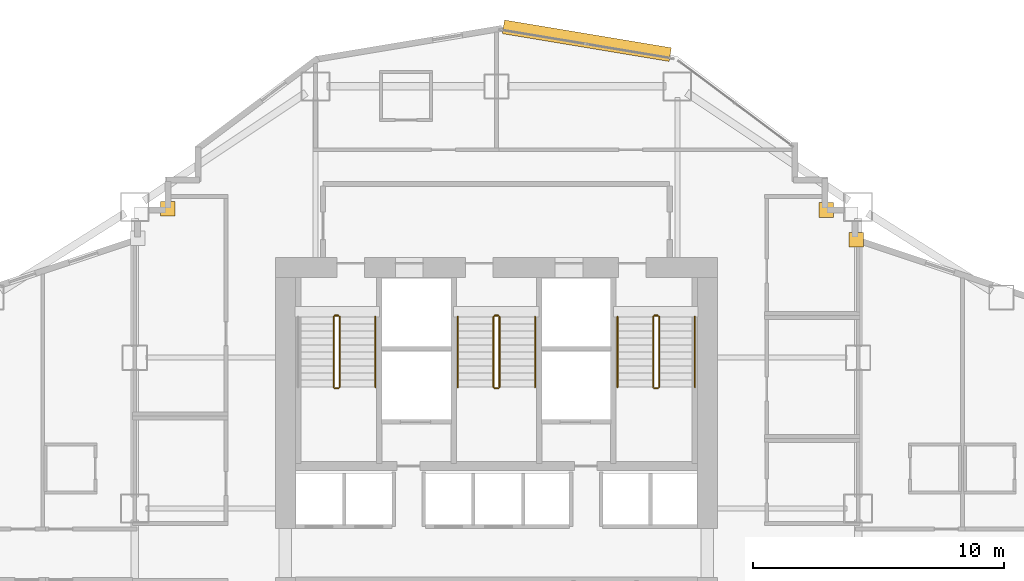
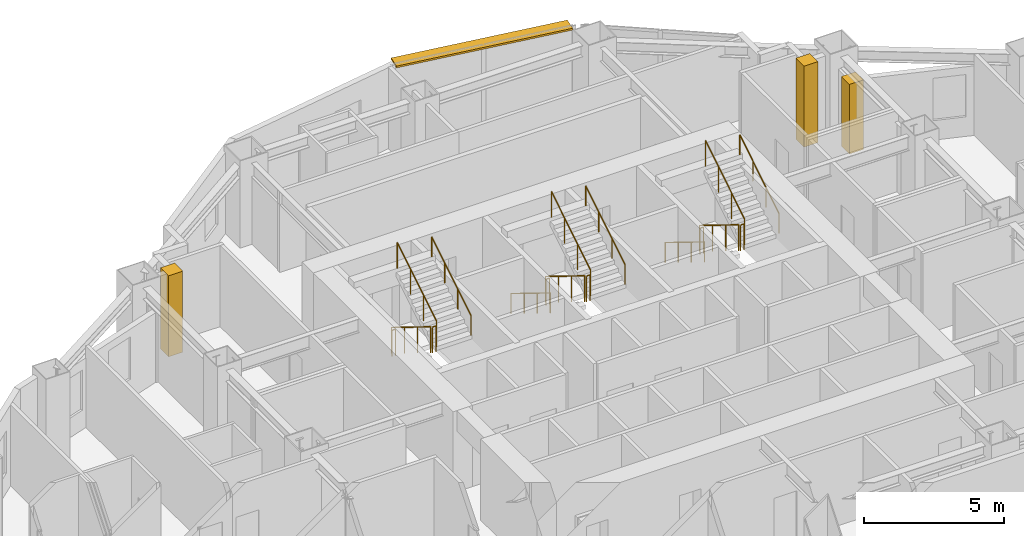
# One storey, part 15 of 16: 17 railings, 3 coverings, 1 shading device.
"""IFC4 building model written with IfcOpenShell, lengths in metres."""

from ifc_helpers import new_model, si_unit, direction, frame, origin, origin_2d, place, context, subcontext, project, spatial, rectangle, circle, extrude, material, layer, layer_set, type_object, element, save


model = new_model("IFC4")

# Units and contexts
model_context = context("Model", 3, precision=1e-05, world=origin(), true_north=direction((0.0, 1.0)))
body_context = subcontext(model_context, "Body", "Model", "MODEL_VIEW")
ifc_project = project(units=[si_unit("LENGTHUNIT", "METRE"), si_unit("AREAUNIT", "SQUARE_METRE"), si_unit("VOLUMEUNIT", "CUBIC_METRE"), si_unit("PLANEANGLEUNIT", "RADIAN"), si_unit("MASSUNIT", "GRAM", prefix="KILO")], contexts=[model_context])

# Site, building, storey
site_placement = place(None, origin())
site = spatial("IfcSite", under=ifc_project, at=site_placement, CompositionType="ELEMENT")
building_placement = place(site_placement, origin())
building = spatial("IfcBuilding", under=site, at=building_placement, Name="Haolan Belvedere Tower", CompositionType="ELEMENT")
storey_placement = place(building_placement, frame((0.0, 0.0, 85.60009765625)))
storey = spatial("IfcBuildingStorey", under=building, at=storey_placement, Name="L21", CompositionType="ELEMENT", Elevation=85.60009765625)

# Coverings
ifc_material_1 = material(Name="Pale champagne-silver anodised aluminium rainscreen cladding", Category="aluminium")
ifc_layer_1 = layer(ifc_material_1, 0.034912109375, Name="Pale champagne-silver anodised aluminium rainscreen cladding")
ifc_layer_set_1 = layer_set([ifc_layer_1], Name="Pale champagne-silver anodised aluminium rainscreen cladding")
covering_type = type_object("IfcCoveringType", Name="COV-CLAD-35", PredefinedType="CLADDING", material=ifc_layer_set_1)
covering_placement = place(storey_placement, frame((52.72021484375, 44.300048828125, -0.000244140625), z_axis=(0.0, 0.0, 1.0), x_axis=(1.0, 0.0, 0.0)))
element("IfcCovering", 1, at=covering_placement, inside=storey, type_object=covering_type, Name="L21 pale-metal serrated corner cladding trim 7", PredefinedType="CLADDING", context=body_context, shape_type="SweptSolid", body=[
    extrude(rectangle(XDim=0.580078125, YDim=0.580078125, at=origin_2d()), origin(), (0.0, 0.0, 1.0), 3.037109375),
])
for number, where, z_axis, x_axis, name in (
    (2, (51.5224609375, 45.47998046875, 0.0), (0.0, 0.0, 1.0), (1.0, 0.0, 0.0), "L21 pale-metal serrated corner cladding trim 8"),
    (3, (25.320068359375, 45.5224609375, 0.0), (0.0, 0.0, 1.0), (1.0, 0.0, 0.0), "L21 pale-metal serrated corner cladding trim 9"),
):
    element("IfcCovering", number, at=place(storey_placement, frame(where, z_axis=z_axis, x_axis=x_axis)), inside=storey, type_object=covering_type, Name=name, PredefinedType="CLADDING", context=body_context, shape_type="SweptSolid", body=[
        extrude(rectangle(XDim=0.580078125, YDim=0.580078125, at=origin_2d()), origin(), (0.0, 0.0, 1.0), 3.5400390625),
    ])

# Railings
ifc_material_2 = material(Name="Brushed stainless steel 304", Category="steel")
railing_type_1 = type_object("IfcRailingType", Name="RL-STAIR-GRD-1150", PredefinedType="GUARDRAIL", material=ifc_material_2)
railing_1_placement = place(storey_placement, frame((31.919921875, 41.22998046875, 0.172607421875)))
element("IfcRailing", 4, at=railing_1_placement, inside=storey, type_object=railing_type_1, Name="L21 ST1 stair guard 1", PredefinedType="GUARDRAIL", context=body_context, shape_type="SweptSolid", body=[
    extrude(circle(Radius=0.02392578125, at=origin_2d()), frame((0.0, 0.0, 1.1259765625), z_axis=(0.0, -0.851089632645, 0.525020415988), x_axis=(1.0, 0.0, 0.0)), (0.0, 0.0, 1.0), 3.2900390625),
    extrude(circle(Radius=0.02099609375, at=origin_2d()), origin(), (0.0, 0.0, 1.0), 1.101806640625),
    extrude(circle(Radius=0.02099609375, at=origin_2d()), frame((0.0, -0.933349609375, 0.57568359375)), (0.0, 0.0, 1.0), 1.101806640625),
    extrude(circle(Radius=0.02099609375, at=origin_2d()), frame((0.0, -1.86669921875, 1.151611328125)), (0.0, 0.0, 1.0), 1.101806640625),
    extrude(circle(Radius=0.02099609375, at=origin_2d()), frame((0.0, -2.800048828125, 1.727294921875)), (0.0, 0.0, 1.0), 1.101806640625),
])
railing_2_placement = place(storey_placement, frame((31.969970703125, 38.3798828125, 1.89990234375)))
element("IfcRailing", 5, at=railing_2_placement, inside=storey, type_object=railing_type_1, Name="L21 ST1 stair guard 2", PredefinedType="GUARDRAIL", context=body_context, shape_type="SweptSolid", body=[
    extrude(circle(Radius=0.02392578125, at=origin_2d()), frame((0.0, 0.0, 1.1259765625), z_axis=(1.0, 0.0, 0.0), x_axis=(0.0, 1.0, 0.0)), (0.0, 0.0, 1.0), 0.14013671875),
    extrude(circle(Radius=0.02099609375, at=origin_2d()), origin(), (0.0, 0.0, 1.0), 1.101806640625),
    extrude(circle(Radius=0.02099609375, at=origin_2d()), frame((0.14013671875, 0.0, 0.0)), (0.0, 0.0, 1.0), 1.101806640625),
])
railing_3_placement = place(storey_placement, frame((32.159912109375, 38.429931640625, 2.072509765625)))
element("IfcRailing", 6, at=railing_3_placement, inside=storey, type_object=railing_type_1, Name="L21 ST1 stair guard 3", PredefinedType="GUARDRAIL", context=body_context, shape_type="SweptSolid", body=[
    extrude(circle(Radius=0.02392578125, at=origin_2d()), frame((0.0, 0.0, 1.1259765625), z_axis=(0.0, 0.851089632645, 0.525020415988), x_axis=(-1.0, 0.0, 0.0)), (0.0, 0.0, 1.0), 3.2900390625),
    extrude(circle(Radius=0.02099609375, at=origin_2d()), origin(), (0.0, 0.0, 1.0), 1.101806640625),
    extrude(circle(Radius=0.02099609375, at=origin_2d()), frame((0.0, 0.933349609375, 0.57568359375)), (0.0, 0.0, 1.0), 1.101806640625),
    extrude(circle(Radius=0.02099609375, at=origin_2d()), frame((0.0, 1.86669921875, 1.151611328125)), (0.0, 0.0, 1.0), 1.101806640625),
    extrude(circle(Radius=0.02099609375, at=origin_2d()), frame((0.0, 2.800048828125, 1.727294921875)), (0.0, 0.0, 1.0), 1.101806640625),
])
railing_4_placement = place(storey_placement, frame((31.969970703125, 41.280029296875, 0.0)))
element("IfcRailing", 7, at=railing_4_placement, inside=storey, type_object=railing_type_1, Name="L21 ST1 stair guard 4", PredefinedType="GUARDRAIL", context=body_context, shape_type="SweptSolid", body=[
    extrude(circle(Radius=0.02392578125, at=origin_2d()), frame((0.0, 0.0, 1.1259765625), z_axis=(1.0, 0.0, 0.0), x_axis=(0.0, 1.0, 0.0)), (0.0, 0.0, 1.0), 0.14013671875),
    extrude(circle(Radius=0.02099609375, at=origin_2d()), origin(), (0.0, 0.0, 1.0), 1.101806640625),
    extrude(circle(Radius=0.02099609375, at=origin_2d()), frame((0.14013671875, 0.0, 0.0)), (0.0, 0.0, 1.0), 1.101806640625),
])
railing_5_placement = place(storey_placement, frame((38.280029296875, 41.22998046875, 0.172607421875)))
element("IfcRailing", 8, at=railing_5_placement, inside=storey, type_object=railing_type_1, Name="L21 ST3 stair guard 1", PredefinedType="GUARDRAIL", context=body_context, shape_type="SweptSolid", body=[
    extrude(circle(Radius=0.02392578125, at=origin_2d()), frame((0.0, 0.0, 1.1259765625), z_axis=(0.0, -0.851089632645, 0.525020415988), x_axis=(1.0, 0.0, 0.0)), (0.0, 0.0, 1.0), 3.2900390625),
    extrude(circle(Radius=0.02099609375, at=origin_2d()), origin(), (0.0, 0.0, 1.0), 1.101806640625),
    extrude(circle(Radius=0.02099609375, at=origin_2d()), frame((0.0, -0.933349609375, 0.57568359375)), (0.0, 0.0, 1.0), 1.101806640625),
    extrude(circle(Radius=0.02099609375, at=origin_2d()), frame((0.0, -1.86669921875, 1.151611328125)), (0.0, 0.0, 1.0), 1.101806640625),
    extrude(circle(Radius=0.02099609375, at=origin_2d()), frame((0.0, -2.800048828125, 1.727294921875)), (0.0, 0.0, 1.0), 1.101806640625),
])
railing_6_placement = place(storey_placement, frame((38.330078125, 38.3798828125, 1.89990234375)))
element("IfcRailing", 9, at=railing_6_placement, inside=storey, type_object=railing_type_1, Name="L21 ST3 stair guard 2", PredefinedType="GUARDRAIL", context=body_context, shape_type="SweptSolid", body=[
    extrude(circle(Radius=0.02392578125, at=origin_2d()), frame((0.0, 0.0, 1.1259765625), z_axis=(1.0, 0.0, 0.0), x_axis=(0.0, 1.0, 0.0)), (0.0, 0.0, 1.0), 0.139892578125),
    extrude(circle(Radius=0.02099609375, at=origin_2d()), origin(), (0.0, 0.0, 1.0), 1.101806640625),
    extrude(circle(Radius=0.02099609375, at=origin_2d()), frame((0.139892578125, 0.0, 0.0)), (0.0, 0.0, 1.0), 1.101806640625),
])
railing_7_placement = place(storey_placement, frame((38.52001953125, 38.429931640625, 2.072509765625)))
element("IfcRailing", 10, at=railing_7_placement, inside=storey, type_object=railing_type_1, Name="L21 ST3 stair guard 3", PredefinedType="GUARDRAIL", context=body_context, shape_type="SweptSolid", body=[
    extrude(circle(Radius=0.02392578125, at=origin_2d()), frame((0.0, 0.0, 1.1259765625), z_axis=(0.0, 0.851089632645, 0.525020415988), x_axis=(-1.0, 0.0, 0.0)), (0.0, 0.0, 1.0), 3.2900390625),
    extrude(circle(Radius=0.02099609375, at=origin_2d()), origin(), (0.0, 0.0, 1.0), 1.101806640625),
    extrude(circle(Radius=0.02099609375, at=origin_2d()), frame((0.0, 0.933349609375, 0.57568359375)), (0.0, 0.0, 1.0), 1.101806640625),
    extrude(circle(Radius=0.02099609375, at=origin_2d()), frame((0.0, 1.86669921875, 1.151611328125)), (0.0, 0.0, 1.0), 1.101806640625),
    extrude(circle(Radius=0.02099609375, at=origin_2d()), frame((0.0, 2.800048828125, 1.727294921875)), (0.0, 0.0, 1.0), 1.101806640625),
])
railing_8_placement = place(storey_placement, frame((38.330078125, 41.280029296875, 0.0)))
element("IfcRailing", 11, at=railing_8_placement, inside=storey, type_object=railing_type_1, Name="L21 ST3 stair guard 4", PredefinedType="GUARDRAIL", context=body_context, shape_type="SweptSolid", body=[
    extrude(circle(Radius=0.02392578125, at=origin_2d()), frame((0.0, 0.0, 1.1259765625), z_axis=(1.0, 0.0, 0.0), x_axis=(0.0, 1.0, 0.0)), (0.0, 0.0, 1.0), 0.139892578125),
    extrude(circle(Radius=0.02099609375, at=origin_2d()), origin(), (0.0, 0.0, 1.0), 1.101806640625),
    extrude(circle(Radius=0.02099609375, at=origin_2d()), frame((0.139892578125, 0.0, 0.0)), (0.0, 0.0, 1.0), 1.101806640625),
])
railing_9_placement = place(storey_placement, frame((44.639892578125, 41.22998046875, 0.172607421875)))
element("IfcRailing", 12, at=railing_9_placement, inside=storey, type_object=railing_type_1, Name="L21 ST2 stair guard 1", PredefinedType="GUARDRAIL", context=body_context, shape_type="SweptSolid", body=[
    extrude(circle(Radius=0.02392578125, at=origin_2d()), frame((0.0, 0.0, 1.1259765625), z_axis=(0.0, -0.851089632645, 0.525020415988), x_axis=(1.0, 0.0, 0.0)), (0.0, 0.0, 1.0), 3.2900390625),
    extrude(circle(Radius=0.02099609375, at=origin_2d()), origin(), (0.0, 0.0, 1.0), 1.101806640625),
    extrude(circle(Radius=0.02099609375, at=origin_2d()), frame((0.0, -0.933349609375, 0.57568359375)), (0.0, 0.0, 1.0), 1.101806640625),
    extrude(circle(Radius=0.02099609375, at=origin_2d()), frame((0.0, -1.86669921875, 1.151611328125)), (0.0, 0.0, 1.0), 1.101806640625),
    extrude(circle(Radius=0.02099609375, at=origin_2d()), frame((0.0, -2.800048828125, 1.727294921875)), (0.0, 0.0, 1.0), 1.101806640625),
])
railing_10_placement = place(storey_placement, frame((44.68994140625, 38.3798828125, 1.89990234375)))
element("IfcRailing", 13, at=railing_10_placement, inside=storey, type_object=railing_type_1, Name="L21 ST2 stair guard 2", PredefinedType="GUARDRAIL", context=body_context, shape_type="SweptSolid", body=[
    extrude(circle(Radius=0.02392578125, at=origin_2d()), frame((0.0, 0.0, 1.1259765625), z_axis=(1.0, 0.0, 0.0), x_axis=(0.0, 1.0, 0.0)), (0.0, 0.0, 1.0), 0.14013671875),
    extrude(circle(Radius=0.02099609375, at=origin_2d()), origin(), (0.0, 0.0, 1.0), 1.101806640625),
    extrude(circle(Radius=0.02099609375, at=origin_2d()), frame((0.14013671875, 0.0, 0.0)), (0.0, 0.0, 1.0), 1.101806640625),
])
railing_11_placement = place(storey_placement, frame((44.8798828125, 38.429931640625, 2.072509765625)))
element("IfcRailing", 14, at=railing_11_placement, inside=storey, type_object=railing_type_1, Name="L21 ST2 stair guard 3", PredefinedType="GUARDRAIL", context=body_context, shape_type="SweptSolid", body=[
    extrude(circle(Radius=0.02392578125, at=origin_2d()), frame((0.0, 0.0, 1.1259765625), z_axis=(0.0, 0.851089632645, 0.525020415988), x_axis=(-1.0, 0.0, 0.0)), (0.0, 0.0, 1.0), 3.2900390625),
    extrude(circle(Radius=0.02099609375, at=origin_2d()), origin(), (0.0, 0.0, 1.0), 1.101806640625),
    extrude(circle(Radius=0.02099609375, at=origin_2d()), frame((0.0, 0.933349609375, 0.57568359375)), (0.0, 0.0, 1.0), 1.101806640625),
    extrude(circle(Radius=0.02099609375, at=origin_2d()), frame((0.0, 1.86669921875, 1.151611328125)), (0.0, 0.0, 1.0), 1.101806640625),
    extrude(circle(Radius=0.02099609375, at=origin_2d()), frame((0.0, 2.800048828125, 1.727294921875)), (0.0, 0.0, 1.0), 1.101806640625),
])
railing_12_placement = place(storey_placement, frame((44.68994140625, 41.280029296875, 0.0)))
element("IfcRailing", 15, at=railing_12_placement, inside=storey, type_object=railing_type_1, Name="L21 ST2 stair guard 4", PredefinedType="GUARDRAIL", context=body_context, shape_type="SweptSolid", body=[
    extrude(circle(Radius=0.02392578125, at=origin_2d()), frame((0.0, 0.0, 1.1259765625), z_axis=(1.0, 0.0, 0.0), x_axis=(0.0, 1.0, 0.0)), (0.0, 0.0, 1.0), 0.14013671875),
    extrude(circle(Radius=0.02099609375, at=origin_2d()), origin(), (0.0, 0.0, 1.0), 1.101806640625),
    extrude(circle(Radius=0.02099609375, at=origin_2d()), frame((0.14013671875, 0.0, 0.0)), (0.0, 0.0, 1.0), 1.101806640625),
])
railing_type_2 = type_object("IfcRailingType", Name="RL-STAIR-HND-900", PredefinedType="HANDRAIL", material=ifc_material_2)
railing_13_placement = place(storey_placement, frame((33.580078125, 38.429931640625, 2.072509765625)))
element("IfcRailing", 16, at=railing_13_placement, inside=storey, type_object=railing_type_2, Name="L21 ST1 stair handrail 2", PredefinedType="HANDRAIL", context=body_context, shape_type="SweptSolid", body=[
    extrude(circle(Radius=0.02392578125, at=origin_2d()), frame((0.0, 0.0, 0.8759765625), z_axis=(0.0, 0.851089632645, 0.525020415988), x_axis=(-1.0, 0.0, 0.0)), (0.0, 0.0, 1.0), 3.2900390625),
    extrude(circle(Radius=0.02099609375, at=origin_2d()), origin(), (0.0, 0.0, 1.0), 0.851806640625),
    extrude(circle(Radius=0.02099609375, at=origin_2d()), frame((0.0, 0.933349609375, 0.57568359375)), (0.0, 0.0, 1.0), 0.851806640625),
    extrude(circle(Radius=0.02099609375, at=origin_2d()), frame((0.0, 1.86669921875, 1.151611328125)), (0.0, 0.0, 1.0), 0.851806640625),
    extrude(circle(Radius=0.02099609375, at=origin_2d()), frame((0.0, 2.800048828125, 1.727294921875)), (0.0, 0.0, 1.0), 0.851806640625),
])
railing_14_placement = place(storey_placement, frame((36.860107421875, 41.22998046875, 0.172607421875)))
element("IfcRailing", 17, at=railing_14_placement, inside=storey, type_object=railing_type_2, Name="L21 ST3 stair handrail 1", PredefinedType="HANDRAIL", context=body_context, shape_type="SweptSolid", body=[
    extrude(circle(Radius=0.02392578125, at=origin_2d()), frame((0.0, 0.0, 0.8759765625), z_axis=(0.0, -0.851089632645, 0.525020415988), x_axis=(1.0, 0.0, 0.0)), (0.0, 0.0, 1.0), 3.2900390625),
    extrude(circle(Radius=0.02099609375, at=origin_2d()), origin(), (0.0, 0.0, 1.0), 0.851806640625),
    extrude(circle(Radius=0.02099609375, at=origin_2d()), frame((0.0, -0.933349609375, 0.57568359375)), (0.0, 0.0, 1.0), 0.851806640625),
    extrude(circle(Radius=0.02099609375, at=origin_2d()), frame((0.0, -1.86669921875, 1.151611328125)), (0.0, 0.0, 1.0), 0.851806640625),
    extrude(circle(Radius=0.02099609375, at=origin_2d()), frame((0.0, -2.800048828125, 1.727294921875)), (0.0, 0.0, 1.0), 0.851806640625),
])
railing_15_placement = place(storey_placement, frame((39.93994140625, 38.429931640625, 2.072509765625)))
element("IfcRailing", 18, at=railing_15_placement, inside=storey, type_object=railing_type_2, Name="L21 ST3 stair handrail 2", PredefinedType="HANDRAIL", context=body_context, shape_type="SweptSolid", body=[
    extrude(circle(Radius=0.02392578125, at=origin_2d()), frame((0.0, 0.0, 0.8759765625), z_axis=(0.0, 0.851089632645, 0.525020415988), x_axis=(-1.0, 0.0, 0.0)), (0.0, 0.0, 1.0), 3.2900390625),
    extrude(circle(Radius=0.02099609375, at=origin_2d()), origin(), (0.0, 0.0, 1.0), 0.851806640625),
    extrude(circle(Radius=0.02099609375, at=origin_2d()), frame((0.0, 0.933349609375, 0.57568359375)), (0.0, 0.0, 1.0), 0.851806640625),
    extrude(circle(Radius=0.02099609375, at=origin_2d()), frame((0.0, 1.86669921875, 1.151611328125)), (0.0, 0.0, 1.0), 0.851806640625),
    extrude(circle(Radius=0.02099609375, at=origin_2d()), frame((0.0, 2.800048828125, 1.727294921875)), (0.0, 0.0, 1.0), 0.851806640625),
])
railing_16_placement = place(storey_placement, frame((43.219970703125, 41.22998046875, 0.172607421875)))
element("IfcRailing", 19, at=railing_16_placement, inside=storey, type_object=railing_type_2, Name="L21 ST2 stair handrail 1", PredefinedType="HANDRAIL", context=body_context, shape_type="SweptSolid", body=[
    extrude(circle(Radius=0.02392578125, at=origin_2d()), frame((0.0, 0.0, 0.8759765625), z_axis=(0.0, -0.851089632645, 0.525020415988), x_axis=(1.0, 0.0, 0.0)), (0.0, 0.0, 1.0), 3.2900390625),
    extrude(circle(Radius=0.02099609375, at=origin_2d()), origin(), (0.0, 0.0, 1.0), 0.851806640625),
    extrude(circle(Radius=0.02099609375, at=origin_2d()), frame((0.0, -0.933349609375, 0.57568359375)), (0.0, 0.0, 1.0), 0.851806640625),
    extrude(circle(Radius=0.02099609375, at=origin_2d()), frame((0.0, -1.86669921875, 1.151611328125)), (0.0, 0.0, 1.0), 0.851806640625),
    extrude(circle(Radius=0.02099609375, at=origin_2d()), frame((0.0, -2.800048828125, 1.727294921875)), (0.0, 0.0, 1.0), 0.851806640625),
])
railing_17_placement = place(storey_placement, frame((46.300048828125, 38.429931640625, 2.072509765625)))
element("IfcRailing", 20, at=railing_17_placement, inside=storey, type_object=railing_type_2, Name="L21 ST2 stair handrail 2", PredefinedType="HANDRAIL", context=body_context, shape_type="SweptSolid", body=[
    extrude(circle(Radius=0.02392578125, at=origin_2d()), frame((0.0, 0.0, 0.8759765625), z_axis=(0.0, 0.851089632645, 0.525020415988), x_axis=(-1.0, 0.0, 0.0)), (0.0, 0.0, 1.0), 3.2900390625),
    extrude(circle(Radius=0.02099609375, at=origin_2d()), origin(), (0.0, 0.0, 1.0), 0.851806640625),
    extrude(circle(Radius=0.02099609375, at=origin_2d()), frame((0.0, 0.933349609375, 0.57568359375)), (0.0, 0.0, 1.0), 0.851806640625),
    extrude(circle(Radius=0.02099609375, at=origin_2d()), frame((0.0, 1.86669921875, 1.151611328125)), (0.0, 0.0, 1.0), 0.851806640625),
    extrude(circle(Radius=0.02099609375, at=origin_2d()), frame((0.0, 2.800048828125, 1.727294921875)), (0.0, 0.0, 1.0), 0.851806640625),
])

# Shading device
ifc_material_3 = material(Name="Anodised champagne-silver aluminium 6063-T6", Category="aluminium")
ifc_layer_2 = layer(ifc_material_3, 0.080078125, Name="Anodised champagne-silver aluminium 6063-T6")
ifc_layer_set_2 = layer_set([ifc_layer_2], Name="Anodised champagne-silver aluminium 6063-T6")
shading_device_type = type_object("IfcShadingDeviceType", Name="SHD-SUN-550", PredefinedType="USERDEFINED", material=ifc_layer_set_2)
shading_device_placement = place(storey_placement, frame((41.998779296875, 52.220458984375, 3.43994140625), z_axis=(0.0, 0.0, 1.0), x_axis=(-0.986391978972, 0.16441065604, 0.0)))
element("IfcShadingDevice", 21, at=shading_device_placement, inside=storey, type_object=shading_device_type, Name="L21 pale-metal horizontal SUNSHADE band 42.1", ObjectType="SUNSHADE", PredefinedType="USERDEFINED", context=body_context, shape_type="SweptSolid", body=[
    extrude(rectangle(XDim=6.72998046875, YDim=0.550048828125, at=origin_2d()), origin(), (0.0, 0.0, 1.0), 0.080078125),
])

save(model, "model.ifc")
